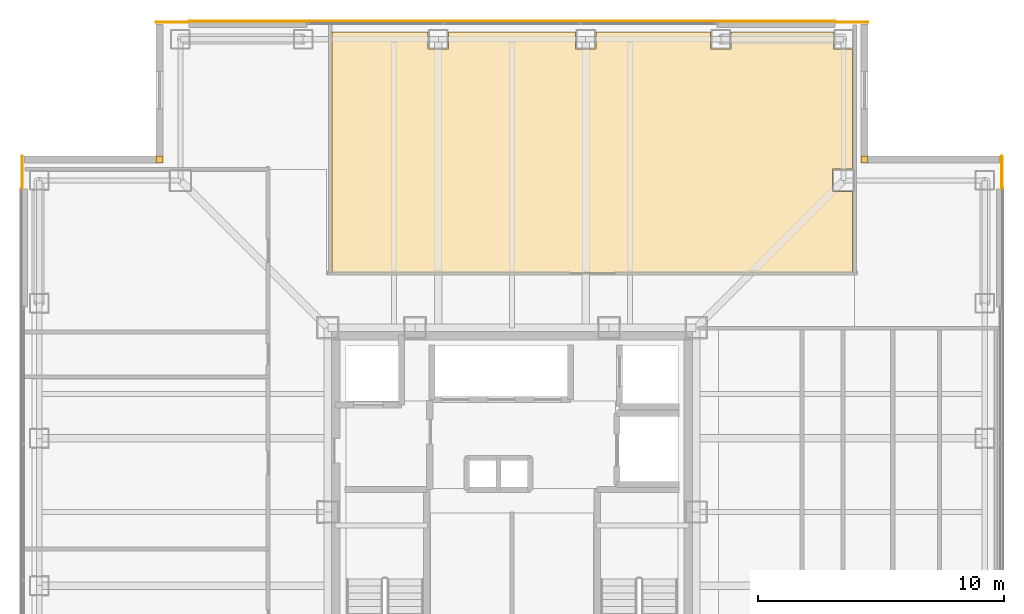
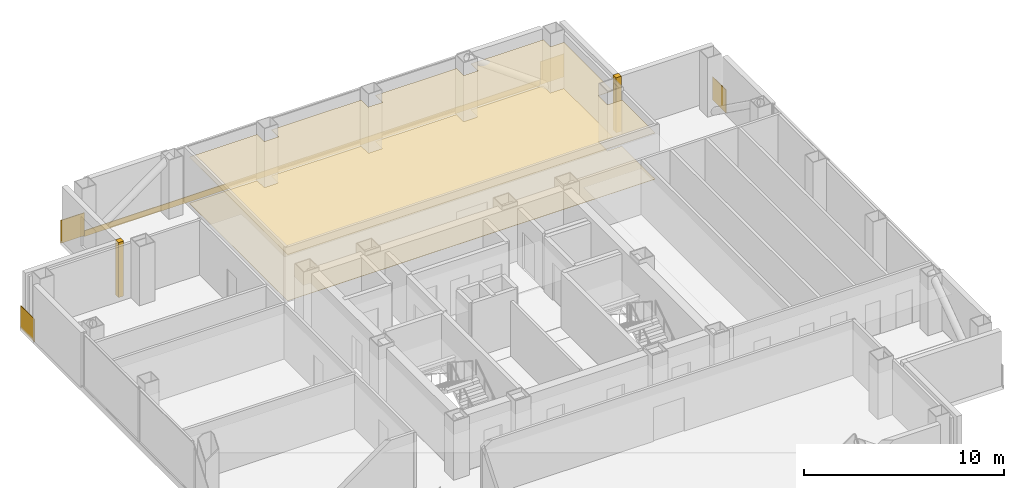
# One storey, part 16 of 16: 9 coverings.
"""IFC4 building model written with IfcOpenShell, lengths in metres."""

from ifc_helpers import new_model, si_unit, direction, frame, frame_2d, origin, place, context, subcontext, project, spatial, polyline, rectangle, outline, extrude, material, layer, layer_set, type_object, element, save


model = new_model("IFC4")

# Units and contexts
model_context = context("Model", 3, precision=1e-05, world=origin(), true_north=direction((0.0, 1.0)))
body_context = subcontext(model_context, "Body", "Model", "MODEL_VIEW")
ifc_project = project(units=[si_unit("LENGTHUNIT", "METRE"), si_unit("AREAUNIT", "SQUARE_METRE"), si_unit("VOLUMEUNIT", "CUBIC_METRE"), si_unit("PLANEANGLEUNIT", "RADIAN"), si_unit("MASSUNIT", "GRAM", prefix="KILO")], contexts=[model_context])

# Site, building, storey
site_placement = place(None, origin())
site = spatial("IfcSite", under=ifc_project, at=site_placement, CompositionType="ELEMENT")
building_placement = place(site_placement, origin())
building = spatial("IfcBuilding", under=site, at=building_placement, Name="Trevonay Congress Spire", CompositionType="ELEMENT")
storey_placement = place(building_placement, frame((0.0, 0.0, 202.199951171875)))
storey = spatial("IfcBuildingStorey", under=building, at=storey_placement, Name="L52", CompositionType="ELEMENT", Elevation=202.199951171875)

# Coverings
ifc_material_1 = material(Name="Acoustic Mineral Fibre Board", Category="gypsum")
ifc_layer_1 = layer(ifc_material_1, 0.02490234375, Name="Acoustic Mineral Fibre Board")
ifc_layer_set_1 = layer_set([ifc_layer_1], Name="Acoustic Mineral Fibre Board")
covering_type_1 = type_object("IfcCoveringType", Name="COV-CEIL-ACOUSTIC", PredefinedType="CEILING", material=ifc_layer_set_1)
covering_1_placement = place(storey_placement, frame((0.0, 0.0, 2.81005859375)))
element("IfcCovering", 1, at=covering_1_placement, inside=storey, type_object=covering_type_1, Name="L52 Sky Pilates and Fitness Studio Lounge acoustic suspended ceiling", PredefinedType="CEILING", context=body_context, shape_type="SweptSolid", body=[
    extrude(outline(polyline([(13.8701171875, 9.72998046875), (-7.320068359375, 9.72998046875), (-7.320068359375, 19.550048828125), (-3.409912109375, 19.550048828125), (-3.409912109375, 18.840087890625), (-2.590087890625, 18.840087890625), (-2.590087890625, 19.550048828125), (2.590087890625, 19.550048828125), (2.590087890625, 18.840087890625), (3.409912109375, 18.840087890625), (3.409912109375, 19.550048828125), (8.090087890625, 19.550048828125), (8.090087890625, 18.840087890625), (8.909912109375, 18.840087890625), (8.909912109375, 19.550048828125), (13.090087890625, 19.550048828125), (13.090087890625, 18.840087890625), (13.8701171875, 18.840087890625), (13.8701171875, 13.9599609375), (13.0400390625, 13.9599609375), (13.0400390625, 13.0400390625), (13.8701171875, 13.0400390625), (13.8701171875, 9.72998046875)])), origin(), (0.0, 0.0, 1.0), 0.02490234375),
])
ifc_material_2 = material(Name="Engineered Oak Flooring", Category="wood")
ifc_layer_2 = layer(ifc_material_2, 0.01806640625, Name="Engineered Oak Flooring")
ifc_layer_set_2 = layer_set([ifc_layer_2], Name="Engineered Oak Flooring")
covering_type_2 = type_object("IfcCoveringType", Name="COV-FLOOR-TIMBER", PredefinedType="FLOORING", material=ifc_layer_set_2)
covering_2_placement = place(storey_placement, origin())
element("IfcCovering", 2, at=covering_2_placement, inside=storey, type_object=covering_type_2, Name="L52 Sky Pilates and Fitness Studio Lounge floor finish", PredefinedType="FLOORING", context=body_context, shape_type="SweptSolid", body=[
    extrude(outline(polyline([(13.8701171875, 9.72998046875), (-7.320068359375, 9.72998046875), (-7.320068359375, 19.550048828125), (-3.409912109375, 19.550048828125), (-3.409912109375, 18.840087890625), (-2.590087890625, 18.840087890625), (-2.590087890625, 19.550048828125), (2.590087890625, 19.550048828125), (2.590087890625, 18.840087890625), (3.409912109375, 18.840087890625), (3.409912109375, 19.550048828125), (8.090087890625, 19.550048828125), (8.090087890625, 18.840087890625), (8.909912109375, 18.840087890625), (8.909912109375, 19.550048828125), (13.090087890625, 19.550048828125), (13.090087890625, 18.840087890625), (13.8701171875, 18.840087890625), (13.8701171875, 13.9599609375), (13.0400390625, 13.9599609375), (13.0400390625, 13.0400390625), (13.8701171875, 13.0400390625), (13.8701171875, 9.72998046875)])), origin(), (0.0, 0.0, 1.0), 0.01806640625),
])
ifc_material_3 = material(Name="Pale Anodised Aluminium EN AW-6063-T6", Category="aluminium")
ifc_layer_3 = layer(ifc_material_3, 0.0400390625, Name="Pale Anodised Aluminium EN AW-6063-T6")
ifc_layer_set_3 = layer_set([ifc_layer_3], Name="Pale Anodised Aluminium EN AW-6063-T6")
covering_type_3 = type_object("IfcCoveringType", Name="COV-SPANDREL-PALE-METAL", PredefinedType="CLADDING", material=ifc_layer_set_3)
covering_3_placement = place(storey_placement, frame((-13.14990234375, 19.97998046875, -0.239990234375), z_axis=(0.0, 0.0, 1.0), x_axis=(1.0, 0.0, 0.0)))
element("IfcCovering", 3, at=covering_3_placement, inside=storey, type_object=covering_type_3, Name="L52 N pale-metal slab-edge spandrel cladding", PredefinedType="CLADDING", context=body_context, shape_type="SweptSolid", body=[
    extrude(rectangle(XDim=26.2998046875, YDim=0.0400390625, at=frame_2d((13.14990234375, 0.0))), origin(), (0.0, 0.0, 1.0), 0.360107421875),
])
covering_4_placement = place(storey_placement, origin())
element("IfcCovering", 4, at=covering_4_placement, inside=storey, type_object=covering_type_3, Name="L52 NE re-entrant notch corner closure trim", PredefinedType="CLADDING", context=body_context, shape_type="SweptSolid", body=[
    extrude(outline(polyline([(14.199951171875, 14.199951171875), (14.5, 14.199951171875), (14.5, 14.5), (14.199951171875, 14.5), (14.199951171875, 14.199951171875)])), origin(), (0.0, 0.0, 1.0), 3.360107421875),
])
for number, where, z_axis, x_axis, name in (
    (5, (19.93994140625, 13.14990234375, -0.14990234375), (0.0, 0.0, 1.0), (0.0, 1.0, 0.0), "L52 NE corner pier spandrel cladding 1"),
    (6, (13.14990234375, 19.93994140625, -0.14990234375), (0.0, 0.0, 1.0), (1.0, 0.0, 0.0), "L52 NE corner pier spandrel cladding 2"),
):
    element("IfcCovering", number, at=place(storey_placement, frame(where, z_axis=z_axis, x_axis=x_axis)), inside=storey, type_object=covering_type_3, Name=name, PredefinedType="CLADDING", context=body_context, shape_type="SweptSolid", body=[
        extrude(rectangle(XDim=1.35009765625, YDim=0.0400390625, at=frame_2d((0.675048828125, 0.0))), origin(), (0.0, 0.0, 1.0), 1.39990234375),
    ])
covering_5_placement = place(storey_placement, origin())
element("IfcCovering", 7, at=covering_5_placement, inside=storey, type_object=covering_type_3, Name="L52 NW re-entrant notch corner closure trim", PredefinedType="CLADDING", context=body_context, shape_type="SweptSolid", body=[
    extrude(outline(polyline([(-14.5, 14.199951171875), (-14.199951171875, 14.199951171875), (-14.199951171875, 14.5), (-14.5, 14.5), (-14.5, 14.199951171875)])), origin(), (0.0, 0.0, 1.0), 3.360107421875),
])
for number, where, z_axis, x_axis, name in (
    (8, (-19.93994140625, 13.14990234375, -0.14990234375), (0.0, 0.0, 1.0), (0.0, 1.0, 0.0), "L52 NW corner pier spandrel cladding 1"),
    (9, (-13.14990234375, 19.93994140625, -0.14990234375), (0.0, 0.0, 1.0), (-1.0, 0.0, 0.0), "L52 NW corner pier spandrel cladding 2"),
):
    element("IfcCovering", number, at=place(storey_placement, frame(where, z_axis=z_axis, x_axis=x_axis)), inside=storey, type_object=covering_type_3, Name=name, PredefinedType="CLADDING", context=body_context, shape_type="SweptSolid", body=[
        extrude(rectangle(XDim=1.35009765625, YDim=0.0400390625, at=frame_2d((0.675048828125, 0.0))), origin(), (0.0, 0.0, 1.0), 1.39990234375),
    ])

save(model, "model.ifc")
